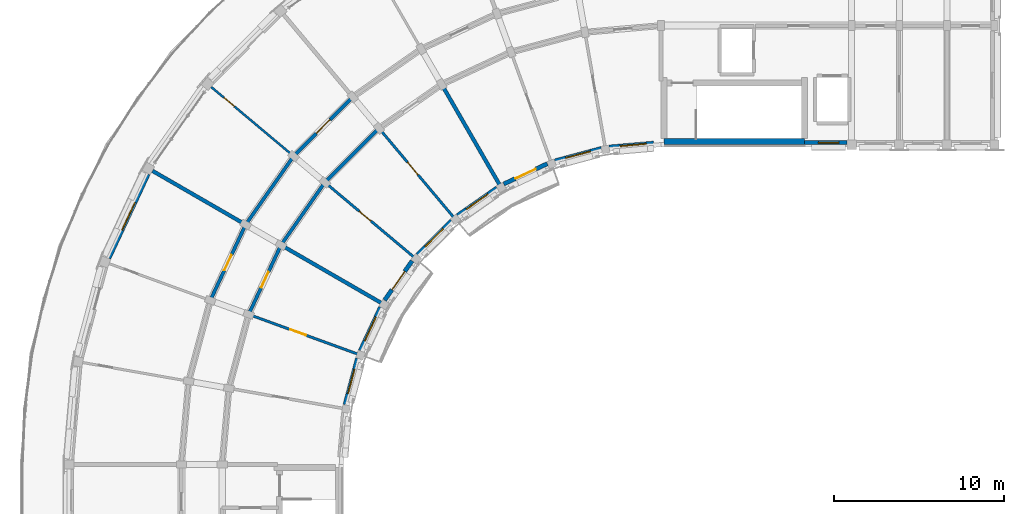
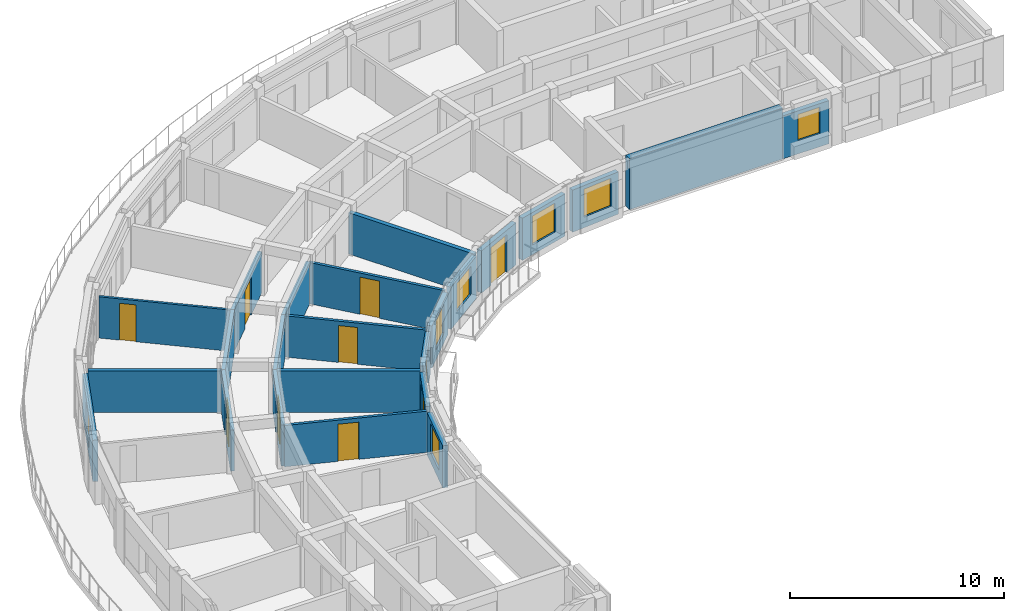
# One storey, part 7 of 14: 24 walls, 9 doors, 8 windows, 17 openings.
"""IFC4 building model written with IfcOpenShell, lengths in metres."""

from ifc_helpers import new_model, si_unit, direction, frame, frame_2d, origin, place, context, subcontext, project, spatial, rectangle, extrude, material, layer, layer_set, type_object, element, fill, save


model = new_model("IFC4")

# Units and contexts
model_context = context("Model", 3, precision=1e-05, world=origin(), true_north=direction((0.0, 1.0)))
body_context = subcontext(model_context, "Body", "Model", "MODEL_VIEW")
ifc_project = project(units=[si_unit("LENGTHUNIT", "METRE"), si_unit("AREAUNIT", "SQUARE_METRE"), si_unit("VOLUMEUNIT", "CUBIC_METRE"), si_unit("PLANEANGLEUNIT", "RADIAN"), si_unit("MASSUNIT", "GRAM", prefix="KILO")], contexts=[model_context])

# Site, building, storey
site_placement = place(None, origin())
site = spatial("IfcSite", under=ifc_project, at=site_placement, CompositionType="ELEMENT")
building_placement = place(site_placement, origin())
building = spatial("IfcBuilding", under=site, at=building_placement, Name="Kiranvali Square Residences", CompositionType="ELEMENT")
storey_placement = place(building_placement, frame((0.0, 0.0, 49.64990234375)))
storey = spatial("IfcBuildingStorey", under=building, at=storey_placement, Name="L15", CompositionType="ELEMENT", Elevation=49.64990234375)

# Wall
ifc_material_1 = material(Name="Autoclaved aerated concrete blockwork masonry", Category="masonry")
ifc_layer_1 = layer(ifc_material_1, 0.199951171875)
ifc_layer_set_1 = layer_set([ifc_layer_1], Name="Autoclaved aerated concrete blockwork masonry")
wall_type_1 = type_object("IfcWallType", Name="WL-COR-200", PredefinedType="STANDARD", material=ifc_layer_set_1)
wall_1_placement = place(storey_placement, frame((31.615966796875, 107.56396484375, 0.0), z_axis=(0.0, 0.0, 1.0), x_axis=(-0.707106781187, -0.707106781187, 0.0)))
element("IfcWall", 1, at=wall_1_placement, inside=storey, type_object=wall_type_1, Name="L15 architectural wall WL-L15-A-CCI-4", PredefinedType="STANDARD", context=body_context, shape_type="SweptSolid", body=[
    extrude(rectangle(XDim=4.4970703125, YDim=0.199951171875, at=frame_2d((2.24853515625, 0.0))), origin(), (0.0, 0.0, 1.0), 2.35205078125),
])

# Wall, opening, door
wall_2_placement = place(storey_placement, frame((30.073486328125, 109.40234375, 0.0), z_axis=(0.0, 0.0, 1.0), x_axis=(-0.707106781187, -0.707106781187, 0.0)))
wall_2 = element("IfcWall", 2, at=wall_2_placement, inside=storey, type_object=wall_type_1, Name="L15 architectural wall WL-L15-A-CCO-4", PredefinedType="STANDARD", context=body_context, shape_type="SweptSolid", body=[
    extrude(rectangle(XDim=4.91552734375, YDim=0.199951171875, at=frame_2d((2.457763671875, 0.0))), origin(), (0.0, 0.0, 1.0), 2.35205078125),
])
opening_1_placement = place(wall_2_placement, frame((1.8876953125, 0.0, 0.0)))
opening_1 = element("IfcOpeningElement", 3, at=opening_1_placement, cuts=wall_2, Name="Opening FD-APT-60D", PredefinedType="OPENING", context=body_context, shape_type="SweptSolid", body=[
    extrude(rectangle(XDim=1.139892578125, YDim=2.14990234375, at=frame_2d((0.56982421875, 1.074951171875))), frame((0.0, 0.10986328125, 0.0), z_axis=(0.0, -1.0, 0.0), x_axis=(1.0, 0.0, 0.0)), (0.0, 0.0, 1.0), 0.219970703125),
])
ifc_material_2 = material(Name="Fire-rated acoustic hardwood and mineral-core door assembly", Category="wood")
door_type_1 = type_object("IfcDoorType", Name="DR-APT-1140", OperationType="NOTDEFINED", PredefinedType="DOOR", material=ifc_material_2)
door_1_placement = place(opening_1_placement, origin())
door_1 = element("IfcDoor", 4, at=door_1_placement, inside=storey, type_object=door_type_1, Name="L15 door DR-L15-0931 (DR-APT-1140)", OperationType="SINGLE_SWING_LEFT", OverallHeight=2.14990234375, OverallWidth=1.139892578125, PredefinedType="DOOR", context=body_context, shape_type="SweptSolid", body=[
    extrude(rectangle(XDim=1.139892578125, YDim=2.14990234375, at=frame_2d((0.56982421875, 1.074951171875))), frame((0.0, 0.02490234375, 0.0), z_axis=(0.0, -1.0, 0.0), x_axis=(1.0, 0.0, 0.0)), (0.0, 0.0, 1.0), 0.050048828125),
])
fill(opening_1, door_1)

# Walls
wall_3_placement = place(storey_placement, frame((28.43603515625, 104.384033203125, 0.0), z_axis=(0.0, 0.0, 1.0), x_axis=(-0.573571637217, -0.819155404658, 0.0)))
element("IfcWall", 5, at=wall_3_placement, inside=storey, type_object=wall_type_1, Name="L15 architectural wall WL-L15-A-CCI-5", PredefinedType="STANDARD", context=body_context, shape_type="SweptSolid", body=[
    extrude(rectangle(XDim=4.497314453125, YDim=0.199951171875, at=frame_2d((2.24853515625, 0.0))), origin(), (0.0, 0.0, 1.0), 2.35205078125),
])
wall_4_placement = place(storey_placement, frame((26.59765625, 105.926513671875, 0.0), z_axis=(0.0, 0.0, 1.0), x_axis=(-0.573592335331, -0.819140911474, 0.0)))
element("IfcWall", 6, at=wall_4_placement, inside=storey, type_object=wall_type_1, Name="L15 architectural wall WL-L15-A-CCO-5", PredefinedType="STANDARD", context=body_context, shape_type="SweptSolid", body=[
    extrude(rectangle(XDim=4.915771484375, YDim=0.199951171875, at=frame_2d((2.4580078125, 0.0))), origin(), (0.0, 0.0, 1.0), 2.35205078125),
])

# Wall, opening, door
wall_5_placement = place(storey_placement, frame((25.8564453125, 100.699951171875, 0.0), z_axis=(0.0, 0.0, 1.0), x_axis=(-0.422617978463, -0.906307919131, 0.0)))
wall_5 = element("IfcWall", 7, at=wall_5_placement, inside=storey, type_object=wall_type_1, Name="L15 architectural wall WL-L15-A-CCI-6", PredefinedType="STANDARD", context=body_context, shape_type="SweptSolid", body=[
    extrude(rectangle(XDim=4.497314453125, YDim=0.199951171875, at=frame_2d((2.24853515625, 0.0))), origin(), (0.0, 0.0, 1.0), 2.35205078125),
])
opening_2_placement = place(wall_5_placement, frame((1.74853515625, 0.0, 0.0)))
opening_2 = element("IfcOpeningElement", 8, at=opening_2_placement, cuts=wall_5, Name="Opening FD-APT-60", PredefinedType="OPENING", context=body_context, shape_type="SweptSolid", body=[
    extrude(rectangle(XDim=1.0, YDim=2.14990234375, at=frame_2d((0.5, 1.074951171875))), frame((0.0, 0.10986328125, 0.0), z_axis=(0.0, -1.0, 0.0), x_axis=(1.0, 0.0, 0.0)), (0.0, 0.0, 1.0), 0.219970703125),
])
door_type_2 = type_object("IfcDoorType", Name="DR-APT-1000", OperationType="NOTDEFINED", PredefinedType="DOOR", material=ifc_material_2)
door_2_placement = place(opening_2_placement, origin())
door_2 = element("IfcDoor", 9, at=door_2_placement, inside=storey, type_object=door_type_2, Name="L15 door DR-L15-0935 (DR-APT-1000)", OperationType="SINGLE_SWING_LEFT", OverallHeight=2.14990234375, OverallWidth=1.0, PredefinedType="DOOR", context=body_context, shape_type="SweptSolid", body=[
    extrude(rectangle(XDim=1.0, YDim=2.14990234375, at=frame_2d((0.5, 1.074951171875))), frame((0.0, 0.02490234375, 0.0), z_axis=(0.0, -1.0, 0.0), x_axis=(1.0, 0.0, 0.0)), (0.0, 0.0, 1.0), 0.050048828125),
])
fill(opening_2, door_2)

wall_6_placement = place(storey_placement, frame((23.778076171875, 101.89990234375, 0.0), z_axis=(0.0, 0.0, 1.0), x_axis=(-0.422629854778, -0.906302381024, 0.0)))
wall_6 = element("IfcWall", 10, at=wall_6_placement, inside=storey, type_object=wall_type_1, Name="L15 architectural wall WL-L15-A-CCO-6", PredefinedType="STANDARD", context=body_context, shape_type="SweptSolid", body=[
    extrude(rectangle(XDim=4.915283203125, YDim=0.199951171875, at=frame_2d((2.45751953125, 0.0))), origin(), (0.0, 0.0, 1.0), 2.35205078125),
])
opening_3_placement = place(wall_6_placement, frame((1.957763671875, 0.0, 0.0)))
opening_3 = element("IfcOpeningElement", 11, at=opening_3_placement, cuts=wall_6, Name="Opening FD-APT-60", PredefinedType="OPENING", context=body_context, shape_type="SweptSolid", body=[
    extrude(rectangle(XDim=1.0, YDim=2.14990234375, at=frame_2d((0.5, 1.074951171875))), frame((0.0, 0.10986328125, 0.0), z_axis=(0.0, -1.0, 0.0), x_axis=(1.0, 0.0, 0.0)), (0.0, 0.0, 1.0), 0.219970703125),
])
door_3_placement = place(opening_3_placement, frame((1.0, 0.0, 0.0), z_axis=(0.0, 0.0, 1.0), x_axis=(-1.0, 0.0, 0.0)))
door_3 = element("IfcDoor", 12, at=door_3_placement, inside=storey, type_object=door_type_2, Name="L15 door DR-L15-0932 (DR-APT-1000)", OperationType="SINGLE_SWING_RIGHT", OverallHeight=2.14990234375, OverallWidth=1.0, PredefinedType="DOOR", context=body_context, shape_type="SweptSolid", body=[
    extrude(rectangle(XDim=1.0, YDim=2.14990234375, at=frame_2d((0.5, 1.074951171875))), frame((0.0, 0.02490234375, 0.0), z_axis=(0.0, -1.0, 0.0), x_axis=(1.0, 0.0, 0.0)), (0.0, 0.0, 1.0), 0.050048828125),
])
fill(opening_3, door_3)

# Walls
ifc_layer_2 = layer(ifc_material_1, 0.219970703125)
ifc_layer_set_2 = layer_set([ifc_layer_2], Name="Autoclaved aerated concrete blockwork masonry")
wall_type_2 = type_object("IfcWallType", Name="WL-DEM-220", PredefinedType="STANDARD", material=ifc_layer_set_2)
for number, where, z_axis, x_axis, name in (
    (13, (38.699951171875, 104.25439453125, 0.0), (0.0, 0.0, 1.0), (-0.499997969693, 0.866026575979, 0.0), "L15 architectural wall WL-L15-A-RADI-3"),
    (14, (31.74560546875, 97.300048828125, 0.0), (0.0, 0.0, 1.0), (-0.866026575979, 0.499997969693, 0.0), "L15 architectural wall WL-L15-A-RADI-6"),
):
    element("IfcWall", number, at=place(storey_placement, frame(where, z_axis=z_axis, x_axis=x_axis)), inside=storey, type_object=wall_type_2, Name=name, PredefinedType="STANDARD", context=body_context, shape_type="SweptSolid", body=[
        extrude(rectangle(XDim=6.75, YDim=0.219970703125, at=frame_2d((3.375, 0.0))), origin(), (0.0, 0.0, 1.0), 2.35205078125),
    ])
wall_7_placement = place(storey_placement, frame((23.69140625, 101.949951171875, 0.0), z_axis=(0.0, 0.0, 1.0), x_axis=(-0.866019562905, 0.500010116563, 0.0)))
element("IfcWall", 15, at=wall_7_placement, inside=storey, type_object=wall_type_2, Name="L15 architectural wall WL-L15-A-RADO-6", PredefinedType="STANDARD", context=body_context, shape_type="SweptSolid", body=[
    extrude(rectangle(XDim=6.219970703125, YDim=0.219970703125, at=frame_2d((3.10986328125, 0.0))), origin(), (0.0, 0.0, 1.0), 2.35205078125),
])

# Wall, opening, window
ifc_material_3 = material(Name="Breathable lime-rendered clay brick masonry", Category="masonry")
ifc_layer_3 = layer(ifc_material_3, 0.25)
ifc_layer_set_3 = layer_set([ifc_layer_3], Name="Breathable lime-rendered clay brick masonry")
wall_type_3 = type_object("IfcWallType", Name="WL-EXT-250", PredefinedType="STANDARD", material=ifc_layer_set_3)
wall_8_placement = place(storey_placement, frame((18.048583984375, 104.874755859375, 0.0), z_axis=(0.0, 0.0, 1.0), x_axis=(-0.422618868643, -0.906307504033, 0.0)))
wall_8 = element("IfcWall", 16, at=wall_8_placement, inside=storey, type_object=wall_type_3, Name="L15 exterior wall A-L15-CRV-06", PredefinedType="STANDARD", context=body_context, shape_type="SweptSolid", body=[
    extrude(rectangle(XDim=5.46484375, YDim=0.25, at=frame_2d((2.732421875, 0.0))), origin(), (0.0, 0.0, 1.0), 2.35205078125),
])
opening_4_placement = place(wall_8_placement, frame((1.83251953125, 0.0, 0.501953125)))
opening_4 = element("IfcOpeningElement", 17, at=opening_4_placement, cuts=wall_8, Name="Opening W-04", PredefinedType="OPENING", context=body_context, shape_type="SweptSolid", body=[
    extrude(rectangle(XDim=1.800048828125, YDim=1.64990234375, at=frame_2d((0.89990234375, 0.824951171875))), frame((0.0, 0.135009765625, 0.0), z_axis=(0.0, -1.0, 0.0), x_axis=(1.0, 0.0, 0.0)), (0.0, 0.0, 1.0), 0.27001953125),
])
ifc_material_4 = material(Name="Solar-control low-e double glazing", Category="glass")
window_type_1 = type_object("IfcWindowType", Name="WIN-RES-1800x1650", PartitioningType="DOUBLE_PANEL_VERTICAL", PredefinedType="WINDOW", material=ifc_material_4)
window_1_placement = place(opening_4_placement, origin())
window_1 = element("IfcWindow", 18, at=window_1_placement, inside=storey, type_object=window_type_1, Name="L15 recessed window A-L15-CRV-06", OverallHeight=1.64990234375, OverallWidth=1.800048828125, PartitioningType="DOUBLE_PANEL_VERTICAL", PredefinedType="WINDOW", context=body_context, shape_type="SweptSolid", body=[
    extrude(rectangle(XDim=1.800048828125, YDim=1.64990234375, at=frame_2d((0.89990234375, 0.824951171875))), frame((0.0, 0.030029296875, 0.0), z_axis=(0.0, -1.0, 0.0), x_axis=(1.0, 0.0, 0.0)), (0.0, 0.0, 1.0), 0.06005859375),
])
fill(opening_4, window_1)

wall_9_placement = place(storey_placement, frame((47.750732421875, 106.686279296875, 0.0), z_axis=(0.0, 0.0, 1.0), x_axis=(-0.996188433092, -0.087227322402, 0.0)))
wall_9 = element("IfcWall", 19, at=wall_9_placement, inside=storey, type_object=wall_type_3, Name="L15 exterior wall A-L15-GDN-00", PredefinedType="STANDARD", context=body_context, shape_type="SweptSolid", body=[
    extrude(rectangle(XDim=2.608642578125, YDim=0.25, at=frame_2d((1.30419921875, 0.0))), origin(), (0.0, 0.0, 1.0), 2.402099609375),
])
opening_5_placement = place(wall_9_placement, frame((0.423583984375, 0.0, 0.60205078125)))
opening_5 = element("IfcOpeningElement", 20, at=opening_5_placement, cuts=wall_9, Name="Opening W-18", PredefinedType="OPENING", context=body_context, shape_type="SweptSolid", body=[
    extrude(rectangle(XDim=1.550048828125, YDim=1.60009765625, at=frame_2d((0.77490234375, 0.800048828125))), frame((0.0, 0.135009765625, 0.0), z_axis=(0.0, -1.0, 0.0), x_axis=(1.0, 0.0, 0.0)), (0.0, 0.0, 1.0), 0.27001953125),
])
window_type_2 = type_object("IfcWindowType", Name="WIN-GDN-1550x1600", PartitioningType="DOUBLE_PANEL_VERTICAL", PredefinedType="WINDOW", material=ifc_material_4)
window_2_placement = place(opening_5_placement, origin())
window_2 = element("IfcWindow", 21, at=window_2_placement, inside=storey, type_object=window_type_2, Name="L15 recessed window A-L15-GDN-00", OverallHeight=1.60009765625, OverallWidth=1.550048828125, PartitioningType="DOUBLE_PANEL_VERTICAL", PredefinedType="WINDOW", context=body_context, shape_type="SweptSolid", body=[
    extrude(rectangle(XDim=1.550048828125, YDim=1.60009765625, at=frame_2d((0.77490234375, 0.800048828125))), frame((0.0, 0.030029296875, 0.0), z_axis=(0.0, -1.0, 0.0), x_axis=(1.0, 0.0, 0.0)), (0.0, 0.0, 1.0), 0.06005859375),
])
fill(opening_5, window_2)

wall_10_placement = place(storey_placement, frame((44.682373046875, 106.3759765625, 0.0), z_axis=(0.0, 0.0, 1.0), x_axis=(-0.965921001908, -0.258837049266, 0.0)))
wall_10 = element("IfcWall", 22, at=wall_10_placement, inside=storey, type_object=wall_type_3, Name="L15 exterior wall A-L15-GDN-01", PredefinedType="STANDARD", context=body_context, shape_type="SweptSolid", body=[
    extrude(rectangle(XDim=2.8203125, YDim=0.25, at=frame_2d((1.41015625, 0.0))), origin(), (0.0, 0.0, 1.0), 2.402099609375),
])
opening_6_placement = place(wall_10_placement, frame((0.66015625, 0.0, 0.552001953125)))
opening_6 = element("IfcOpeningElement", 23, at=opening_6_placement, cuts=wall_10, Name="Opening W-05", PredefinedType="OPENING", context=body_context, shape_type="SweptSolid", body=[
    extrude(rectangle(XDim=1.5, YDim=1.64990234375, at=frame_2d((0.75, 0.824951171875))), frame((0.0, 0.135009765625, 0.0), z_axis=(0.0, -1.0, 0.0), x_axis=(1.0, 0.0, 0.0)), (0.0, 0.0, 1.0), 0.27001953125),
])
window_type_3 = type_object("IfcWindowType", Name="WIN-RES-1500x1650", PartitioningType="DOUBLE_PANEL_VERTICAL", PredefinedType="WINDOW", material=ifc_material_4)
window_3_placement = place(opening_6_placement, origin())
window_3 = element("IfcWindow", 24, at=window_3_placement, inside=storey, type_object=window_type_3, Name="L15 recessed window A-L15-GDN-01", OverallHeight=1.64990234375, OverallWidth=1.5, PartitioningType="DOUBLE_PANEL_VERTICAL", PredefinedType="WINDOW", context=body_context, shape_type="SweptSolid", body=[
    extrude(rectangle(XDim=1.5, YDim=1.64990234375, at=frame_2d((0.75, 0.824951171875))), frame((0.0, 0.030029296875, 0.0), z_axis=(0.0, -1.0, 0.0), x_axis=(1.0, 0.0, 0.0)), (0.0, 0.0, 1.0), 0.06005859375),
])
fill(opening_6, window_3)

# Wall, opening, door
wall_11_placement = place(storey_placement, frame((41.510009765625, 105.48291015625, 0.0), z_axis=(0.0, 0.0, 1.0), x_axis=(-0.906284857185, -0.422667431484, 0.0)))
wall_11 = element("IfcWall", 25, at=wall_11_placement, inside=storey, type_object=wall_type_3, Name="L15 exterior wall A-L15-GDN-02", PredefinedType="STANDARD", context=body_context, shape_type="SweptSolid", body=[
    extrude(rectangle(XDim=2.81982421875, YDim=0.25, at=frame_2d((1.409912109375, 0.0))), origin(), (0.0, 0.0, 1.0), 2.402099609375),
])
opening_7_placement = place(wall_11_placement, frame((0.75, 0.0, 0.0)))
opening_7 = element("IfcOpeningElement", 26, at=opening_7_placement, cuts=wall_11, Name="Opening ED-BAL-3", PredefinedType="OPENING", context=body_context, shape_type="SweptSolid", body=[
    extrude(rectangle(XDim=1.320068359375, YDim=2.14990234375, at=frame_2d((0.66015625, 1.074951171875))), frame((0.0, 0.135009765625, 0.0), z_axis=(0.0, -1.0, 0.0), x_axis=(1.0, 0.0, 0.0)), (0.0, 0.0, 1.0), 0.27001953125),
])
ifc_material_5 = material(Name="Anodised bronze aluminium framing", Category="aluminium")
door_type_3 = type_object("IfcDoorType", Name="DR-BAL-1320", OperationType="NOTDEFINED", PredefinedType="DOOR", material=ifc_material_5)
door_4_placement = place(opening_7_placement, origin())
door_4 = element("IfcDoor", 27, at=door_4_placement, inside=storey, type_object=door_type_3, Name="L15 balcony terrace door", OperationType="SINGLE_SWING_LEFT", OverallHeight=2.14990234375, OverallWidth=1.320068359375, PredefinedType="DOOR", context=body_context, shape_type="SweptSolid", body=[
    extrude(rectangle(XDim=1.320068359375, YDim=2.14990234375, at=frame_2d((0.66015625, 1.074951171875))), frame((0.0, 0.02490234375, 0.0), z_axis=(0.0, -1.0, 0.0), x_axis=(1.0, 0.0, 0.0)), (0.0, 0.0, 1.0), 0.050048828125),
])
fill(opening_7, door_4)

# Wall, opening, window
wall_12_placement = place(storey_placement, frame((38.541259765625, 104.052734375, 0.0), z_axis=(0.0, 0.0, 1.0), x_axis=(-0.819154644592, -0.573572722716, 0.0)))
wall_12 = element("IfcWall", 28, at=wall_12_placement, inside=storey, type_object=wall_type_3, Name="L15 exterior wall A-L15-GDN-03", PredefinedType="STANDARD", context=body_context, shape_type="SweptSolid", body=[
    extrude(rectangle(XDim=2.8203125, YDim=0.25, at=frame_2d((1.41015625, 0.0))), origin(), (0.0, 0.0, 1.0), 2.402099609375),
])
opening_8_placement = place(wall_12_placement, frame((0.635009765625, 0.0, 0.60205078125)))
opening_8 = element("IfcOpeningElement", 29, at=opening_8_placement, cuts=wall_12, Name="Opening W-18", PredefinedType="OPENING", context=body_context, shape_type="SweptSolid", body=[
    extrude(rectangle(XDim=1.550048828125, YDim=1.60009765625, at=frame_2d((0.77490234375, 0.800048828125))), frame((0.0, 0.135009765625, 0.0), z_axis=(0.0, -1.0, 0.0), x_axis=(1.0, 0.0, 0.0)), (0.0, 0.0, 1.0), 0.27001953125),
])
window_4_placement = place(opening_8_placement, origin())
window_4 = element("IfcWindow", 30, at=window_4_placement, inside=storey, type_object=window_type_2, Name="L15 recessed window A-L15-GDN-03", OverallHeight=1.60009765625, OverallWidth=1.550048828125, PartitioningType="DOUBLE_PANEL_VERTICAL", PredefinedType="WINDOW", context=body_context, shape_type="SweptSolid", body=[
    extrude(rectangle(XDim=1.550048828125, YDim=1.60009765625, at=frame_2d((0.77490234375, 0.800048828125))), frame((0.0, 0.030029296875, 0.0), z_axis=(0.0, -1.0, 0.0), x_axis=(1.0, 0.0, 0.0)), (0.0, 0.0, 1.0), 0.06005859375),
])
fill(opening_8, window_4)

wall_13_placement = place(storey_placement, frame((35.86572265625, 102.12841796875, 0.0), z_axis=(0.0, 0.0, 1.0), x_axis=(-0.707106781187, -0.707106781187, 0.0)))
wall_13 = element("IfcWall", 31, at=wall_13_placement, inside=storey, type_object=wall_type_3, Name="L15 exterior wall A-L15-GDN-04", PredefinedType="STANDARD", context=body_context, shape_type="SweptSolid", body=[
    extrude(rectangle(XDim=2.820068359375, YDim=0.25, at=frame_2d((1.41015625, 0.0))), origin(), (0.0, 0.0, 1.0), 2.402099609375),
])
opening_9_placement = place(wall_13_placement, frame((0.66015625, 0.0, 0.552001953125)))
opening_9 = element("IfcOpeningElement", 32, at=opening_9_placement, cuts=wall_13, Name="Opening W-05", PredefinedType="OPENING", context=body_context, shape_type="SweptSolid", body=[
    extrude(rectangle(XDim=1.5, YDim=1.64990234375, at=frame_2d((0.75, 0.824951171875))), frame((0.0, 0.135009765625, 0.0), z_axis=(0.0, -1.0, 0.0), x_axis=(1.0, 0.0, 0.0)), (0.0, 0.0, 1.0), 0.27001953125),
])
window_5_placement = place(opening_9_placement, origin())
window_5 = element("IfcWindow", 33, at=window_5_placement, inside=storey, type_object=window_type_3, Name="L15 recessed window A-L15-GDN-04", OverallHeight=1.64990234375, OverallWidth=1.5, PartitioningType="DOUBLE_PANEL_VERTICAL", PredefinedType="WINDOW", context=body_context, shape_type="SweptSolid", body=[
    extrude(rectangle(XDim=1.5, YDim=1.64990234375, at=frame_2d((0.75, 0.824951171875))), frame((0.0, 0.030029296875, 0.0), z_axis=(0.0, -1.0, 0.0), x_axis=(1.0, 0.0, 0.0)), (0.0, 0.0, 1.0), 0.06005859375),
])
fill(opening_9, window_5)

# Wall, opening, door
wall_14_placement = place(storey_placement, frame((33.56494140625, 99.76904296875, 0.0), z_axis=(0.0, 0.0, 1.0), x_axis=(-0.573572722716, -0.819154644592, 0.0)))
wall_14 = element("IfcWall", 34, at=wall_14_placement, inside=storey, type_object=wall_type_3, Name="L15 exterior wall A-L15-GDN-05", PredefinedType="STANDARD", context=body_context, shape_type="SweptSolid", body=[
    extrude(rectangle(XDim=2.8203125, YDim=0.25, at=frame_2d((1.41015625, 0.0))), origin(), (0.0, 0.0, 1.0), 2.402099609375),
])
opening_10_placement = place(wall_14_placement, frame((0.75, 0.0, 0.0)))
opening_10 = element("IfcOpeningElement", 35, at=opening_10_placement, cuts=wall_14, Name="Opening ED-BAL-3", PredefinedType="OPENING", context=body_context, shape_type="SweptSolid", body=[
    extrude(rectangle(XDim=1.320068359375, YDim=2.14990234375, at=frame_2d((0.66015625, 1.074951171875))), frame((0.0, 0.135009765625, 0.0), z_axis=(0.0, -1.0, 0.0), x_axis=(1.0, 0.0, 0.0)), (0.0, 0.0, 1.0), 0.27001953125),
])
door_5_placement = place(opening_10_placement, origin())
door_5 = element("IfcDoor", 36, at=door_5_placement, inside=storey, type_object=door_type_3, Name="L15 balcony terrace door", OperationType="SINGLE_SWING_RIGHT", OverallHeight=2.14990234375, OverallWidth=1.320068359375, PredefinedType="DOOR", context=body_context, shape_type="SweptSolid", body=[
    extrude(rectangle(XDim=1.320068359375, YDim=2.14990234375, at=frame_2d((0.66015625, 1.074951171875))), frame((0.0, 0.02490234375, 0.0), z_axis=(0.0, -1.0, 0.0), x_axis=(1.0, 0.0, 0.0)), (0.0, 0.0, 1.0), 0.050048828125),
])
fill(opening_10, door_5)

# Wall, opening, window
wall_15_placement = place(storey_placement, frame((31.708984375, 97.045654296875, 0.0), z_axis=(0.0, 0.0, 1.0), x_axis=(-0.422667431484, -0.906284857185, 0.0)))
wall_15 = element("IfcWall", 37, at=wall_15_placement, inside=storey, type_object=wall_type_3, Name="L15 exterior wall A-L15-GDN-06", PredefinedType="STANDARD", context=body_context, shape_type="SweptSolid", body=[
    extrude(rectangle(XDim=2.81982421875, YDim=0.25, at=frame_2d((1.409912109375, 0.0))), origin(), (0.0, 0.0, 1.0), 2.402099609375),
])
opening_11_placement = place(wall_15_placement, frame((0.635009765625, 0.0, 0.60205078125)))
opening_11 = element("IfcOpeningElement", 38, at=opening_11_placement, cuts=wall_15, Name="Opening W-18", PredefinedType="OPENING", context=body_context, shape_type="SweptSolid", body=[
    extrude(rectangle(XDim=1.550048828125, YDim=1.60009765625, at=frame_2d((0.77490234375, 0.800048828125))), frame((0.0, 0.135009765625, 0.0), z_axis=(0.0, -1.0, 0.0), x_axis=(1.0, 0.0, 0.0)), (0.0, 0.0, 1.0), 0.27001953125),
])
window_6_placement = place(opening_11_placement, origin())
window_6 = element("IfcWindow", 39, at=window_6_placement, inside=storey, type_object=window_type_2, Name="L15 recessed window A-L15-GDN-06", OverallHeight=1.60009765625, OverallWidth=1.550048828125, PartitioningType="DOUBLE_PANEL_VERTICAL", PredefinedType="WINDOW", context=body_context, shape_type="SweptSolid", body=[
    extrude(rectangle(XDim=1.550048828125, YDim=1.60009765625, at=frame_2d((0.77490234375, 0.800048828125))), frame((0.0, 0.030029296875, 0.0), z_axis=(0.0, -1.0, 0.0), x_axis=(1.0, 0.0, 0.0)), (0.0, 0.0, 1.0), 0.06005859375),
])
fill(opening_11, window_6)

wall_16_placement = place(storey_placement, frame((30.35400390625, 94.041748046875, 0.0), z_axis=(0.0, 0.0, 1.0), x_axis=(-0.258837049266, -0.965921001908, 0.0)))
wall_16 = element("IfcWall", 40, at=wall_16_placement, inside=storey, type_object=wall_type_3, Name="L15 exterior wall A-L15-GDN-07", PredefinedType="STANDARD", context=body_context, shape_type="SweptSolid", body=[
    extrude(rectangle(XDim=2.8203125, YDim=0.25, at=frame_2d((1.41015625, 0.0))), origin(), (0.0, 0.0, 1.0), 2.402099609375),
])
opening_12_placement = place(wall_16_placement, frame((0.66015625, 0.0, 0.552001953125)))
opening_12 = element("IfcOpeningElement", 41, at=opening_12_placement, cuts=wall_16, Name="Opening W-05", PredefinedType="OPENING", context=body_context, shape_type="SweptSolid", body=[
    extrude(rectangle(XDim=1.5, YDim=1.64990234375, at=frame_2d((0.75, 0.824951171875))), frame((0.0, 0.135009765625, 0.0), z_axis=(0.0, -1.0, 0.0), x_axis=(1.0, 0.0, 0.0)), (0.0, 0.0, 1.0), 0.27001953125),
])
window_7_placement = place(opening_12_placement, origin())
window_7 = element("IfcWindow", 42, at=window_7_placement, inside=storey, type_object=window_type_3, Name="L15 recessed window A-L15-GDN-07", OverallHeight=1.64990234375, OverallWidth=1.5, PartitioningType="DOUBLE_PANEL_VERTICAL", PredefinedType="WINDOW", context=body_context, shape_type="SweptSolid", body=[
    extrude(rectangle(XDim=1.5, YDim=1.64990234375, at=frame_2d((0.75, 0.824951171875))), frame((0.0, 0.030029296875, 0.0), z_axis=(0.0, -1.0, 0.0), x_axis=(1.0, 0.0, 0.0)), (0.0, 0.0, 1.0), 0.06005859375),
])
fill(opening_12, window_7)

wall_17_placement = place(storey_placement, frame((56.62841796875, 106.72509765625, 0.0), z_axis=(0.0, 0.0, 1.0), x_axis=(1.0, 0.0, 0.0)))
wall_17 = element("IfcWall", 43, at=wall_17_placement, inside=storey, type_object=wall_type_3, Name="L15 exterior wall A-L15-A1IN-0", PredefinedType="STANDARD", context=body_context, shape_type="SweptSolid", body=[
    extrude(rectangle(XDim=2.4931640625, YDim=0.25, at=frame_2d((1.24658203125, 0.0))), origin(), (0.0, 0.0, 1.0), 2.4521484375),
])
opening_13_placement = place(wall_17_placement, frame((0.821533203125, 0.0, 0.751953125)))
opening_13 = element("IfcOpeningElement", 44, at=opening_13_placement, cuts=wall_17, Name="Opening W-06", PredefinedType="OPENING", context=body_context, shape_type="SweptSolid", body=[
    extrude(rectangle(XDim=1.199951171875, YDim=1.5, at=frame_2d((0.60009765625, 0.75))), frame((0.0, 0.135009765625, 0.0), z_axis=(0.0, -1.0, 0.0), x_axis=(1.0, 0.0, 0.0)), (0.0, 0.0, 1.0), 0.27001953125),
])
window_type_4 = type_object("IfcWindowType", Name="WIN-RES-1200x1500", PartitioningType="SINGLE_PANEL", PredefinedType="WINDOW", material=ifc_material_4)
window_8_placement = place(opening_13_placement, origin())
window_8 = element("IfcWindow", 45, at=window_8_placement, inside=storey, type_object=window_type_4, Name="L15 recessed window A-L15-A1IN-0", OverallHeight=1.5, OverallWidth=1.199951171875, PartitioningType="SINGLE_PANEL", PredefinedType="WINDOW", context=body_context, shape_type="SweptSolid", body=[
    extrude(rectangle(XDim=1.199951171875, YDim=1.5, at=frame_2d((0.60009765625, 0.75))), frame((0.0, 0.030029296875, 0.0), z_axis=(0.0, -1.0, 0.0), x_axis=(1.0, 0.0, 0.0)), (0.0, 0.0, 1.0), 0.06005859375),
])
fill(opening_13, window_8)

# Wall, opening, door
ifc_material_6 = material(Name="Acoustic gypsum board drylined partition", Category="gypsum")
ifc_layer_4 = layer(ifc_material_6, 0.125)
ifc_layer_set_4 = layer_set([ifc_layer_4], Name="Acoustic gypsum board drylined partition")
wall_type_4 = type_object("IfcWallType", Name="WL-PRT-125", PredefinedType="PARTITIONING", material=ifc_layer_set_4)
wall_18_placement = place(storey_placement, frame((26.52099609375, 105.990966796875, 0.0), z_axis=(0.0, 0.0, 1.0), x_axis=(-0.766058117009, 0.642771313427, 0.0)))
wall_18 = element("IfcWall", 46, at=wall_18_placement, inside=storey, type_object=wall_type_4, Name="L15 architectural wall WL-L15-A-RADO-5", PredefinedType="PARTITIONING", context=body_context, shape_type="SweptSolid", body=[
    extrude(rectangle(XDim=6.219970703125, YDim=0.125, at=frame_2d((3.10986328125, 0.0))), origin(), (0.0, 0.0, 1.0), 2.35205078125),
])
opening_14_placement = place(wall_18_placement, frame((4.44970703125, 0.0, 0.0)))
opening_14 = element("IfcOpeningElement", 47, at=opening_14_placement, cuts=wall_18, Name="Opening ID-WET", PredefinedType="OPENING", context=body_context, shape_type="SweptSolid", body=[
    extrude(rectangle(XDim=0.800048828125, YDim=2.10009765625, at=frame_2d((0.39990234375, 1.050048828125))), frame((0.0, 0.072509765625, 0.0), z_axis=(0.0, -1.0, 0.0), x_axis=(1.0, 0.0, 0.0)), (0.0, 0.0, 1.0), 0.14501953125),
])
ifc_material_7 = material(Name="Solid seasoned teak hardwood joinery", Category="wood")
door_type_4 = type_object("IfcDoorType", Name="DR-WET-800", OperationType="NOTDEFINED", PredefinedType="DOOR", material=ifc_material_7)
door_6_placement = place(opening_14_placement, frame((0.800048828125, 0.0, 0.0), z_axis=(0.0, 0.0, 1.0), x_axis=(-1.0, 0.0, 0.0)))
door_6 = element("IfcDoor", 48, at=door_6_placement, inside=storey, type_object=door_type_4, Name="L15 door DR-L15-0924 (DR-WET-800)", OperationType="SINGLE_SWING_RIGHT", OverallHeight=2.10009765625, OverallWidth=0.800048828125, PredefinedType="DOOR", context=body_context, shape_type="SweptSolid", body=[
    extrude(rectangle(XDim=0.800048828125, YDim=2.10009765625, at=frame_2d((0.39990234375, 1.050048828125))), frame((0.0, 0.02490234375, 0.0), z_axis=(0.0, -1.0, 0.0), x_axis=(1.0, 0.0, 0.0)), (0.0, 0.0, 1.0), 0.050048828125),
])
fill(opening_14, door_6)

ifc_layer_5 = layer(ifc_material_6, 0.14990234375)
ifc_layer_set_5 = layer_set([ifc_layer_5], Name="Acoustic gypsum board drylined partition")
wall_type_5 = type_object("IfcWallType", Name="WL-PRT-150", PredefinedType="PARTITIONING", material=ifc_layer_set_5)
wall_19_placement = place(storey_placement, frame((35.987060546875, 102.354736328125, 0.0), z_axis=(0.0, 0.0, 1.0), x_axis=(-0.642784846501, 0.766046761698, 0.0)))
wall_19 = element("IfcWall", 49, at=wall_19_placement, inside=storey, type_object=wall_type_5, Name="L15 architectural wall WL-L15-A-RADI-4", PredefinedType="PARTITIONING", context=body_context, shape_type="SweptSolid", body=[
    extrude(rectangle(XDim=6.75, YDim=0.14990234375, at=frame_2d((3.375, 0.0))), origin(), (0.0, 0.0, 1.0), 2.35205078125),
])
opening_15_placement = place(wall_19_placement, frame((3.222412109375, 0.0, 0.0)))
opening_15 = element("IfcOpeningElement", 50, at=opening_15_placement, cuts=wall_19, Name="Opening ID-3", PredefinedType="OPENING", context=body_context, shape_type="SweptSolid", body=[
    extrude(rectangle(XDim=0.97998046875, YDim=2.1201171875, at=frame_2d((0.489990234375, 1.06005859375))), frame((0.0, 0.0849609375, 0.0), z_axis=(0.0, -1.0, 0.0), x_axis=(1.0, 0.0, 0.0)), (0.0, 0.0, 1.0), 0.169921875),
])
door_type_5 = type_object("IfcDoorType", Name="DR-INT-980", OperationType="NOTDEFINED", PredefinedType="DOOR", material=ifc_material_7)
door_7_placement = place(opening_15_placement, frame((0.97998046875, 0.0, 0.0), z_axis=(0.0, 0.0, 1.0), x_axis=(-1.0, 0.0, 0.0)))
door_7 = element("IfcDoor", 51, at=door_7_placement, inside=storey, type_object=door_type_5, Name="L15 door DR-L15-0922 (DR-INT-980)", OperationType="SINGLE_SWING_RIGHT", OverallHeight=2.1201171875, OverallWidth=0.97998046875, PredefinedType="DOOR", context=body_context, shape_type="SweptSolid", body=[
    extrude(rectangle(XDim=0.97998046875, YDim=2.1201171875, at=frame_2d((0.489990234375, 1.06005859375))), frame((0.0, 0.02490234375, 0.0), z_axis=(0.0, -1.0, 0.0), x_axis=(1.0, 0.0, 0.0)), (0.0, 0.0, 1.0), 0.050048828125),
])
fill(opening_15, door_7)

wall_20_placement = place(storey_placement, frame((33.645263671875, 100.012939453125, 0.0), z_axis=(0.0, 0.0, 1.0), x_axis=(-0.766046761698, 0.642784846501, 0.0)))
wall_20 = element("IfcWall", 52, at=wall_20_placement, inside=storey, type_object=wall_type_5, Name="L15 architectural wall WL-L15-A-RADI-5", PredefinedType="PARTITIONING", context=body_context, shape_type="SweptSolid", body=[
    extrude(rectangle(XDim=6.75, YDim=0.14990234375, at=frame_2d((3.375, 0.0))), origin(), (0.0, 0.0, 1.0), 2.35205078125),
])
opening_16_placement = place(wall_20_placement, frame((3.262451171875, 0.0, 0.0)))
opening_16 = element("IfcOpeningElement", 53, at=opening_16_placement, cuts=wall_20, Name="Opening ID-1", PredefinedType="OPENING", context=body_context, shape_type="SweptSolid", body=[
    extrude(rectangle(XDim=0.89990234375, YDim=2.10009765625, at=frame_2d((0.449951171875, 1.050048828125))), frame((0.0, 0.0849609375, 0.0), z_axis=(0.0, -1.0, 0.0), x_axis=(1.0, 0.0, 0.0)), (0.0, 0.0, 1.0), 0.169921875),
])
door_type_6 = type_object("IfcDoorType", Name="DR-INT-900", OperationType="NOTDEFINED", PredefinedType="DOOR", material=ifc_material_7)
door_8_placement = place(opening_16_placement, origin())
door_8 = element("IfcDoor", 54, at=door_8_placement, inside=storey, type_object=door_type_6, Name="L15 door DR-L15-0923 (DR-INT-900)", OperationType="SINGLE_SWING_LEFT", OverallHeight=2.10009765625, OverallWidth=0.89990234375, PredefinedType="DOOR", context=body_context, shape_type="SweptSolid", body=[
    extrude(rectangle(XDim=0.89990234375, YDim=2.10009765625, at=frame_2d((0.449951171875, 1.050048828125))), frame((0.0, 0.02490234375, 0.0), z_axis=(0.0, -1.0, 0.0), x_axis=(1.0, 0.0, 0.0)), (0.0, 0.0, 1.0), 0.050048828125),
])
fill(opening_16, door_8)

wall_21_placement = place(storey_placement, frame((30.345947265625, 94.29833984375, 0.0), z_axis=(0.0, 0.0, 1.0), x_axis=(-0.939696231917, 0.342010221662, 0.0)))
wall_21 = element("IfcWall", 55, at=wall_21_placement, inside=storey, type_object=wall_type_5, Name="L15 architectural wall WL-L15-A-RADI-7", PredefinedType="PARTITIONING", context=body_context, shape_type="SweptSolid", body=[
    extrude(rectangle(XDim=6.75, YDim=0.14990234375, at=frame_2d((3.375, 0.0))), origin(), (0.0, 0.0, 1.0), 2.35205078125),
])
opening_17_placement = place(wall_21_placement, frame((3.222412109375, 0.0, 0.0)))
opening_17 = element("IfcOpeningElement", 56, at=opening_17_placement, cuts=wall_21, Name="Opening ID-3", PredefinedType="OPENING", context=body_context, shape_type="SweptSolid", body=[
    extrude(rectangle(XDim=0.97998046875, YDim=2.1201171875, at=frame_2d((0.489990234375, 1.06005859375))), frame((0.0, 0.0849609375, 0.0), z_axis=(0.0, -1.0, 0.0), x_axis=(1.0, 0.0, 0.0)), (0.0, 0.0, 1.0), 0.169921875),
])
door_9_placement = place(opening_17_placement, origin())
door_9 = element("IfcDoor", 57, at=door_9_placement, inside=storey, type_object=door_type_5, Name="L15 door DR-L15-0925 (DR-INT-980)", OperationType="SINGLE_SWING_LEFT", OverallHeight=2.1201171875, OverallWidth=0.97998046875, PredefinedType="DOOR", context=body_context, shape_type="SweptSolid", body=[
    extrude(rectangle(XDim=0.97998046875, YDim=2.1201171875, at=frame_2d((0.489990234375, 1.06005859375))), frame((0.0, 0.02490234375, 0.0), z_axis=(0.0, -1.0, 0.0), x_axis=(1.0, 0.0, 0.0)), (0.0, 0.0, 1.0), 0.050048828125),
])
fill(opening_17, door_9)

# Wall
ifc_material_8 = material(Name="Concrete M45 (45 MPa)", Category="concrete")
ifc_layer_6 = layer(ifc_material_8, 0.320068359375)
ifc_layer_set_6 = layer_set([ifc_layer_6], Name="Concrete M45 (45 MPa)")
wall_type_6 = type_object("IfcWallType", Name="WL-SHR-320", PredefinedType="SHEAR", material=ifc_layer_set_6)
wall_22_placement = place(storey_placement, frame((48.375, 106.77490234375, 0.0), z_axis=(0.0, 0.0, 1.0), x_axis=(1.0, 0.0, 0.0)))
element("IfcWall", 58, at=wall_22_placement, inside=storey, type_object=wall_type_6, Name="Block A core shear wall SW-A2-OUT-L15", PredefinedType="SHEAR", context=body_context, shape_type="SweptSolid", body=[
    extrude(rectangle(XDim=8.25, YDim=0.35009765625, at=frame_2d((4.125, 0.0))), origin(), (0.0, 0.0, 1.0), 2.91015625),
])

save(model, "model.ifc")
